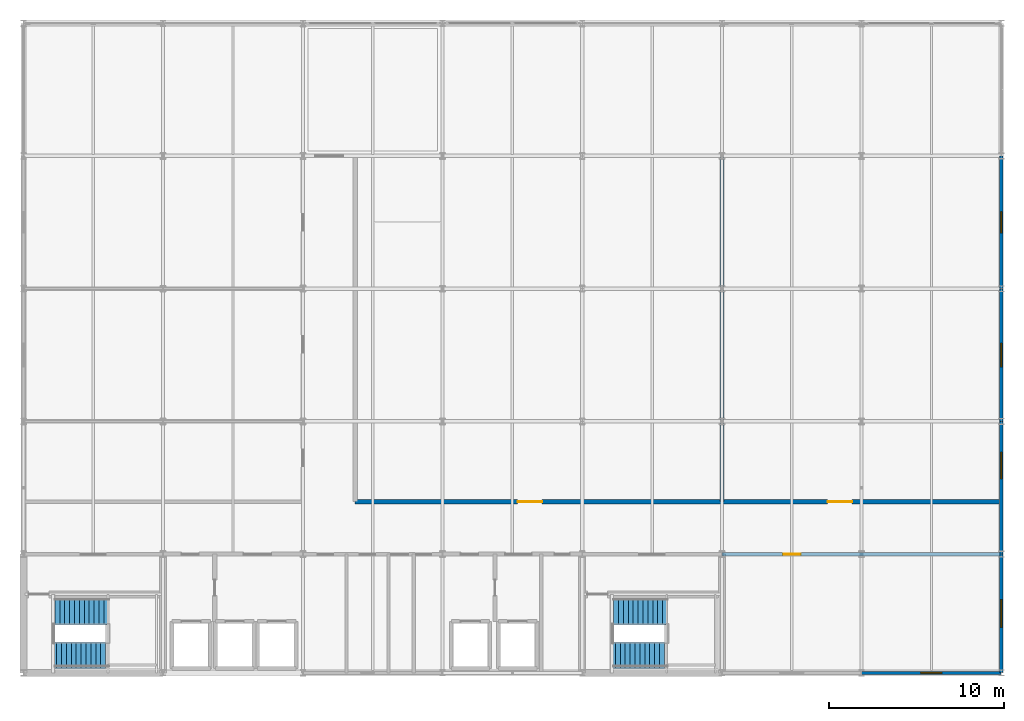
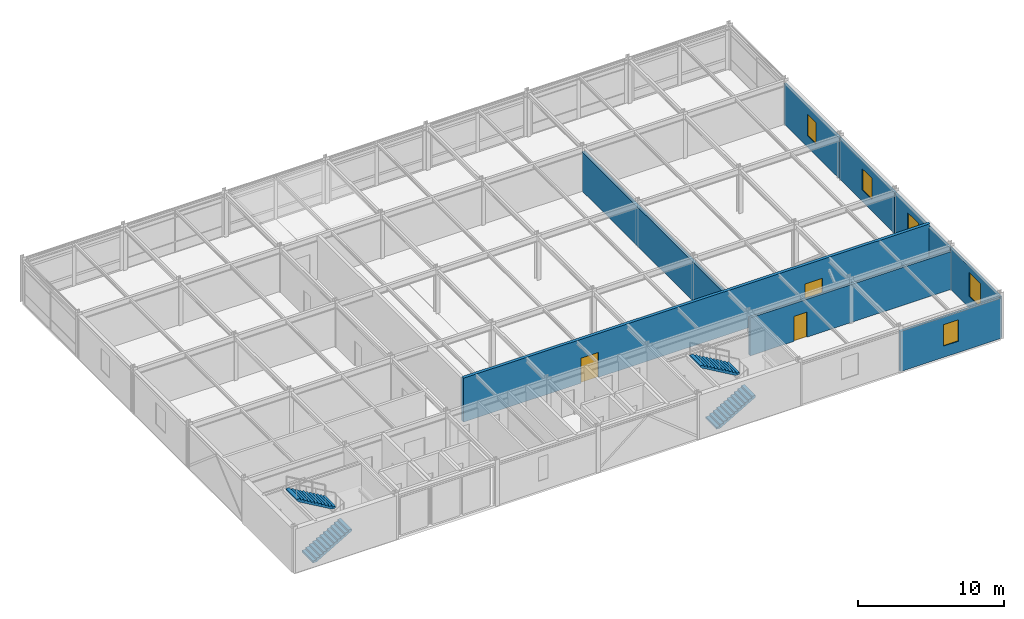
# One storey, part 15 of 16: 8 walls, 5 windows, 4 stair flights, 3 doors, 8 openings, 2 elements without a shape of their own.
"""IFC4 building model written with IfcOpenShell, lengths in metres."""

from ifc_helpers import new_model, si_unit, direction, frame, frame_2d, origin, place, context, subcontext, project, spatial, polyline, rectangle, outline, extrude, material, layer, layer_set, type_object, element, fill, aggregate, save


model = new_model("IFC4")

# Units and contexts
model_context = context("Model", 3, precision=1e-05, world=origin(), true_north=direction((0.0, 1.0)))
body_context = subcontext(model_context, "Body", "Model", "MODEL_VIEW")
ifc_project = project(units=[si_unit("LENGTHUNIT", "METRE"), si_unit("AREAUNIT", "SQUARE_METRE"), si_unit("VOLUMEUNIT", "CUBIC_METRE"), si_unit("PLANEANGLEUNIT", "RADIAN"), si_unit("MASSUNIT", "GRAM", prefix="KILO")], contexts=[model_context])

# Site, building, storey
site_placement = place(None, origin())
site = spatial("IfcSite", under=ifc_project, at=site_placement, CompositionType="ELEMENT")
building_placement = place(site_placement, origin())
building = spatial("IfcBuilding", under=site, at=building_placement, Name="Shalkamar Park Central Library", CompositionType="ELEMENT")
storey_placement = place(building_placement, frame((0.0, 0.0, 43.800048828125)))
storey = spatial("IfcBuildingStorey", under=building, at=storey_placement, Name="L11", CompositionType="ELEMENT", Elevation=43.800048828125)

# Wall, openings, doors
ifc_material_1 = material(Name="Reinforced fire-compartment masonry wall", Category="masonry")
ifc_layer_1 = layer(ifc_material_1, 0.239990234375)
ifc_layer_set_1 = layer_set([ifc_layer_1], Name="CompartmentWall_240")
wall_type_1 = type_object("IfcWallType", Name="Compartment Wall 240", PredefinedType="PARTITIONING", material=ifc_layer_set_1)
wall_1_placement = place(storey_placement, frame((184.0, 258.199951171875, 0.0), z_axis=(0.0, 0.0, 1.0), x_axis=(1.0, 0.0, 0.0)))
wall_1 = element("IfcWall", 1, at=wall_1_placement, inside=storey, type_object=wall_type_1, Name="Interior Partition WL-INT-L11-016", PredefinedType="PARTITIONING", context=body_context, shape_type="SweptSolid", body=[
    extrude(rectangle(XDim=37.0, YDim=0.239990234375, at=frame_2d((18.5, 0.0))), origin(), (0.0, 0.0, 1.0), 3.679931640625),
])
opening_1_placement = place(wall_1_placement, frame((9.300048828125, 0.0, 0.0)))
opening_1 = element("IfcOpeningElement", 2, at=opening_1_placement, cuts=wall_1, Name="Opening DR-L11-016", PredefinedType="OPENING", context=body_context, shape_type="SweptSolid", body=[
    extrude(rectangle(XDim=1.39990234375, YDim=2.10009765625, at=frame_2d((0.699951171875, 1.050048828125))), frame((0.0, 0.134765625, 0.0), z_axis=(0.0, -1.0, 0.0), x_axis=(1.0, 0.0, 0.0)), (0.0, 0.0, 1.0), 0.269775390625),
])
opening_2_placement = place(wall_1_placement, frame((27.06005859375, 0.0, 0.0)))
opening_2 = element("IfcOpeningElement", 3, at=opening_2_placement, cuts=wall_1, Name="Opening DR-L11-017", PredefinedType="OPENING", context=body_context, shape_type="SweptSolid", body=[
    extrude(rectangle(XDim=1.39990234375, YDim=2.10009765625, at=frame_2d((0.699951171875, 1.050048828125))), frame((0.0, 0.134765625, 0.0), z_axis=(0.0, -1.0, 0.0), x_axis=(1.0, 0.0, 0.0)), (0.0, 0.0, 1.0), 0.269775390625),
])
ifc_material_2 = material(Name="Steel S355", Category="steel")
door_type_1 = type_object("IfcDoorType", Name="Fire Door Double 1400x2100", OperationType="DOUBLE_DOOR_SINGLE_SWING", PredefinedType="DOOR", material=ifc_material_2)
door_1_placement = place(opening_1_placement, origin())
door_1 = element("IfcDoor", 4, at=door_1_placement, inside=storey, type_object=door_type_1, Name="L11 Monograph Stacks West Door", OperationType="DOUBLE_DOOR_SINGLE_SWING", OverallHeight=2.10009765625, OverallWidth=1.39990234375, PredefinedType="DOOR", context=body_context, shape_type="SweptSolid", body=[
    extrude(rectangle(XDim=1.39990234375, YDim=2.10009765625, at=frame_2d((0.699951171875, 1.050048828125))), frame((0.0, 0.02490234375, 0.0), z_axis=(0.0, -1.0, 0.0), x_axis=(1.0, 0.0, 0.0)), (0.0, 0.0, 1.0), 0.050048828125),
])
fill(opening_1, door_1)
door_2_placement = place(opening_2_placement, origin())
door_2 = element("IfcDoor", 5, at=door_2_placement, inside=storey, type_object=door_type_1, Name="L11 Monograph Stacks East Door", OperationType="DOUBLE_DOOR_SINGLE_SWING", OverallHeight=2.10009765625, OverallWidth=1.39990234375, PredefinedType="DOOR", context=body_context, shape_type="SweptSolid", body=[
    extrude(rectangle(XDim=1.39990234375, YDim=2.10009765625, at=frame_2d((0.699951171875, 1.050048828125))), frame((0.0, 0.02490234375, 0.0), z_axis=(0.0, -1.0, 0.0), x_axis=(1.0, 0.0, 0.0)), (0.0, 0.0, 1.0), 0.050048828125),
])
fill(opening_2, door_2)

# Wall
wall_2_placement = place(storey_placement, frame((205.0, 258.199951171875, 0.0), z_axis=(0.0, 0.0, 1.0), x_axis=(0.0, 1.0, 0.0)))
element("IfcWall", 6, at=wall_2_placement, inside=storey, type_object=wall_type_1, Name="Interior Partition WL-INT-L11-017", PredefinedType="PARTITIONING", context=body_context, shape_type="SweptSolid", body=[
    extrude(rectangle(XDim=19.800048828125, YDim=0.239990234375, at=frame_2d((9.89990234375, 0.0))), origin(), (0.0, 0.0, 1.0), 3.27783203125),
])

# Wall, opening, door
ifc_material_3 = material(Name="Fire-rated corridor partition wall", Category="masonry")
ifc_layer_2 = layer(ifc_material_3, 0.199951171875)
ifc_layer_set_2 = layer_set([ifc_layer_2], Name="CorridorFireWall_200")
wall_type_2 = type_object("IfcWallType", Name="Corridor Fire Wall 200", PredefinedType="PARTITIONING", material=ifc_layer_set_2)
wall_3_placement = place(storey_placement, frame((205.0, 255.199951171875, 0.0), z_axis=(0.0, 0.0, 1.0), x_axis=(1.0, 0.0, 0.0)))
wall_3 = element("IfcWall", 7, at=wall_3_placement, inside=storey, type_object=wall_type_2, Name="Interior Partition WL-INT-L11-010", PredefinedType="PARTITIONING", context=body_context, shape_type="SweptSolid", body=[
    extrude(rectangle(XDim=16.0, YDim=0.199951171875, at=frame_2d((8.0, 0.0))), origin(), (0.0, 0.0, 1.0), 3.177978515625),
])
opening_3_placement = place(wall_3_placement, frame((3.5, 0.0, 0.0)))
opening_3 = element("IfcOpeningElement", 8, at=opening_3_placement, cuts=wall_3, Name="Opening DR-L11-012", PredefinedType="OPENING", context=body_context, shape_type="SweptSolid", body=[
    extrude(rectangle(XDim=1.0, YDim=2.10009765625, at=frame_2d((0.5, 1.050048828125))), frame((0.0, 0.11474609375, 0.0), z_axis=(0.0, -1.0, 0.0), x_axis=(1.0, 0.0, 0.0)), (0.0, 0.0, 1.0), 0.229736328125),
])
door_type_2 = type_object("IfcDoorType", Name="Interior Door Single 1000x2100", OperationType="NOTDEFINED", PredefinedType="DOOR", material=ifc_material_2)
door_3_placement = place(opening_3_placement, frame((1.0, 0.0, 0.0), z_axis=(0.0, 0.0, 1.0), x_axis=(-1.0, 0.0, 0.0)))
door_3 = element("IfcDoor", 9, at=door_3_placement, inside=storey, type_object=door_type_2, Name="L11 Fellows Office Door", OperationType="SINGLE_SWING_RIGHT", OverallHeight=2.10009765625, OverallWidth=1.0, PredefinedType="DOOR", context=body_context, shape_type="SweptSolid", body=[
    extrude(rectangle(XDim=1.0, YDim=2.10009765625, at=frame_2d((0.5, 1.050048828125))), frame((0.0, 0.02490234375, 0.0), z_axis=(0.0, -1.0, 0.0), x_axis=(1.0, 0.0, 0.0)), (0.0, 0.0, 1.0), 0.050048828125),
])
fill(opening_3, door_3)

# Wall, opening, window
ifc_material_4 = material(Name="Terracotta insulated wall panel", Category="masonry")
ifc_layer_3 = layer(ifc_material_4, 0.179931640625)
ifc_layer_set_3 = layer_set([ifc_layer_3], Name="TowerSpandrelWall_180")
wall_type_3 = type_object("IfcWallType", Name="Tower Spandrel Wall 180", PredefinedType="SOLIDWALL", material=ifc_layer_set_3)
wall_4_placement = place(storey_placement, frame((213.006103515625, 248.39990234375, 0.0), z_axis=(0.0, 0.0, 1.0), x_axis=(1.0, 0.0, 0.0)))
wall_4 = element("IfcWall", 10, at=wall_4_placement, inside=storey, type_object=wall_type_3, Name="Exterior Facade Wall WL-EXT-L11-215", PredefinedType="SOLIDWALL", context=body_context, shape_type="SweptSolid", body=[
    extrude(rectangle(XDim=7.98779296875, YDim=0.179931640625, at=frame_2d((3.993896484375, 0.0))), origin(), (0.0, 0.0, 1.0), 3.367919921875),
])
opening_4_placement = place(wall_4_placement, frame((3.39404296875, 0.0, 0.949951171875)))
opening_4 = element("IfcOpeningElement", 11, at=opening_4_placement, cuts=wall_4, Name="Opening WN-16", PredefinedType="OPENING", context=body_context, shape_type="SweptSolid", body=[
    extrude(rectangle(XDim=1.199951171875, YDim=1.800048828125, at=frame_2d((0.60009765625, 0.89990234375))), frame((0.0, 0.10498046875, 0.0), z_axis=(0.0, -1.0, 0.0), x_axis=(1.0, 0.0, 0.0)), (0.0, 0.0, 1.0), 0.209716796875),
])
ifc_material_5 = material(Name="Thermally broken aluminium and triple low-e glass", Category="glass")
window_type_1 = type_object("IfcWindowType", Name="Tower Window 1200x1800", PartitioningType="SINGLE_PANEL", PredefinedType="WINDOW", material=ifc_material_5)
window_1_placement = place(opening_4_placement, origin())
window_1 = element("IfcWindow", 12, at=window_1_placement, inside=storey, type_object=window_type_1, Name="Facade Window WN-L11-155", OverallHeight=1.800048828125, OverallWidth=1.199951171875, PartitioningType="SINGLE_PANEL", PredefinedType="WINDOW", context=body_context, shape_type="SweptSolid", body=[
    extrude(rectangle(XDim=1.199951171875, YDim=1.800048828125, at=frame_2d((0.60009765625, 0.89990234375))), frame((0.0, 0.030029296875, 0.0), z_axis=(0.0, -1.0, 0.0), x_axis=(1.0, 0.0, 0.0)), (0.0, 0.0, 1.0), 0.06005859375),
])
fill(opening_4, window_1)

wall_5_placement = place(storey_placement, frame((221.0, 248.406005859375, 0.0), z_axis=(0.0, 0.0, 1.0), x_axis=(0.0, 1.0, 0.0)))
wall_5 = element("IfcWall", 13, at=wall_5_placement, inside=storey, type_object=wall_type_3, Name="Exterior Facade Wall WL-EXT-L11-219", PredefinedType="SOLIDWALL", context=body_context, shape_type="SweptSolid", body=[
    extrude(rectangle(XDim=6.7880859375, YDim=0.179931640625, at=frame_2d((3.39404296875, 0.0))), origin(), (0.0, 0.0, 1.0), 3.447998046875),
])
opening_5_placement = place(wall_5_placement, frame((2.593994140625, 0.0, 0.949951171875)))
opening_5 = element("IfcOpeningElement", 14, at=opening_5_placement, cuts=wall_5, Name="Opening WN-13", PredefinedType="OPENING", context=body_context, shape_type="SweptSolid", body=[
    extrude(rectangle(XDim=1.60009765625, YDim=2.0, at=frame_2d((0.800048828125, 1.0))), frame((0.0, 0.10498046875, 0.0), z_axis=(0.0, -1.0, 0.0), x_axis=(1.0, 0.0, 0.0)), (0.0, 0.0, 1.0), 0.209716796875),
])
window_type_2 = type_object("IfcWindowType", Name="Tower Window 1600x2000", PartitioningType="SINGLE_PANEL", PredefinedType="WINDOW", material=ifc_material_5)
window_2_placement = place(opening_5_placement, origin())
window_2 = element("IfcWindow", 15, at=window_2_placement, inside=storey, type_object=window_type_2, Name="Facade Window WN-L11-158", OverallHeight=2.0, OverallWidth=1.60009765625, PartitioningType="SINGLE_PANEL", PredefinedType="WINDOW", context=body_context, shape_type="SweptSolid", body=[
    extrude(rectangle(XDim=1.60009765625, YDim=2.0, at=frame_2d((0.800048828125, 1.0))), frame((0.0, 0.030029296875, 0.0), z_axis=(0.0, -1.0, 0.0), x_axis=(1.0, 0.0, 0.0)), (0.0, 0.0, 1.0), 0.06005859375),
])
fill(opening_5, window_2)

wall_6_placement = place(storey_placement, frame((221.0, 255.2060546875, 0.0), z_axis=(0.0, 0.0, 1.0), x_axis=(0.0, 1.0, 0.0)))
wall_6 = element("IfcWall", 16, at=wall_6_placement, inside=storey, type_object=wall_type_3, Name="Exterior Facade Wall WL-EXT-L11-220", PredefinedType="SOLIDWALL", context=body_context, shape_type="SweptSolid", body=[
    extrude(rectangle(XDim=7.587890625, YDim=0.179931640625, at=frame_2d((3.7939453125, 0.0))), origin(), (0.0, 0.0, 1.0), 3.407958984375),
])
opening_6_placement = place(wall_6_placement, frame((4.31591796875, 0.0, 0.949951171875)))
opening_6 = element("IfcOpeningElement", 17, at=opening_6_placement, cuts=wall_6, Name="Opening WN-14", PredefinedType="OPENING", context=body_context, shape_type="SweptSolid", body=[
    extrude(rectangle(XDim=1.5, YDim=1.89990234375, at=frame_2d((0.75, 0.949951171875))), frame((0.0, 0.10498046875, 0.0), z_axis=(0.0, -1.0, 0.0), x_axis=(1.0, 0.0, 0.0)), (0.0, 0.0, 1.0), 0.209716796875),
])
window_type_3 = type_object("IfcWindowType", Name="Tower Window 1500x1900", PartitioningType="SINGLE_PANEL", PredefinedType="WINDOW", material=ifc_material_5)
window_3_placement = place(opening_6_placement, origin())
window_3 = element("IfcWindow", 18, at=window_3_placement, inside=storey, type_object=window_type_3, Name="Facade Window WN-L11-159", OverallHeight=1.89990234375, OverallWidth=1.5, PartitioningType="SINGLE_PANEL", PredefinedType="WINDOW", context=body_context, shape_type="SweptSolid", body=[
    extrude(rectangle(XDim=1.5, YDim=1.89990234375, at=frame_2d((0.75, 0.949951171875))), frame((0.0, 0.030029296875, 0.0), z_axis=(0.0, -1.0, 0.0), x_axis=(1.0, 0.0, 0.0)), (0.0, 0.0, 1.0), 0.06005859375),
])
fill(opening_6, window_3)

wall_7_placement = place(storey_placement, frame((221.0, 262.805908203125, 0.0), z_axis=(0.0, 0.0, 1.0), x_axis=(0.0, 1.0, 0.0)))
wall_7 = element("IfcWall", 19, at=wall_7_placement, inside=storey, type_object=wall_type_3, Name="Exterior Facade Wall WL-EXT-L11-221", PredefinedType="SOLIDWALL", context=body_context, shape_type="SweptSolid", body=[
    extrude(rectangle(XDim=7.588134765625, YDim=0.179931640625, at=frame_2d((3.7939453125, 0.0))), origin(), (0.0, 0.0, 1.0), 3.407958984375),
])
opening_7_placement = place(wall_7_placement, frame((3.118896484375, 0.0, 0.949951171875)))
opening_7 = element("IfcOpeningElement", 20, at=opening_7_placement, cuts=wall_7, Name="Opening WN-15", PredefinedType="OPENING", context=body_context, shape_type="SweptSolid", body=[
    extrude(rectangle(XDim=1.35009765625, YDim=1.800048828125, at=frame_2d((0.675048828125, 0.89990234375))), frame((0.0, 0.10498046875, 0.0), z_axis=(0.0, -1.0, 0.0), x_axis=(1.0, 0.0, 0.0)), (0.0, 0.0, 1.0), 0.209716796875),
])
window_type_4 = type_object("IfcWindowType", Name="Tower Window 1350x1800", PartitioningType="SINGLE_PANEL", PredefinedType="WINDOW", material=ifc_material_5)
window_4_placement = place(opening_7_placement, origin())
window_4 = element("IfcWindow", 21, at=window_4_placement, inside=storey, type_object=window_type_4, Name="Facade Window WN-L11-160", OverallHeight=1.800048828125, OverallWidth=1.35009765625, PartitioningType="SINGLE_PANEL", PredefinedType="WINDOW", context=body_context, shape_type="SweptSolid", body=[
    extrude(rectangle(XDim=1.35009765625, YDim=1.800048828125, at=frame_2d((0.675048828125, 0.89990234375))), frame((0.0, 0.030029296875, 0.0), z_axis=(0.0, -1.0, 0.0), x_axis=(1.0, 0.0, 0.0)), (0.0, 0.0, 1.0), 0.06005859375),
])
fill(opening_7, window_4)

wall_8_placement = place(storey_placement, frame((221.0, 270.406005859375, 0.0), z_axis=(0.0, 0.0, 1.0), x_axis=(0.0, 1.0, 0.0)))
wall_8 = element("IfcWall", 22, at=wall_8_placement, inside=storey, type_object=wall_type_3, Name="Exterior Facade Wall WL-EXT-L11-222", PredefinedType="SOLIDWALL", context=body_context, shape_type="SweptSolid", body=[
    extrude(rectangle(XDim=7.587890625, YDim=0.179931640625, at=frame_2d((3.7939453125, 0.0))), origin(), (0.0, 0.0, 1.0), 3.407958984375),
])
opening_8_placement = place(wall_8_placement, frame((3.194091796875, 0.0, 0.949951171875)))
opening_8 = element("IfcOpeningElement", 23, at=opening_8_placement, cuts=wall_8, Name="Opening WN-16", PredefinedType="OPENING", context=body_context, shape_type="SweptSolid", body=[
    extrude(rectangle(XDim=1.199951171875, YDim=1.800048828125, at=frame_2d((0.60009765625, 0.89990234375))), frame((0.0, 0.10498046875, 0.0), z_axis=(0.0, -1.0, 0.0), x_axis=(1.0, 0.0, 0.0)), (0.0, 0.0, 1.0), 0.209716796875),
])
window_5_placement = place(opening_8_placement, origin())
window_5 = element("IfcWindow", 24, at=window_5_placement, inside=storey, type_object=window_type_1, Name="Facade Window WN-L11-161", OverallHeight=1.800048828125, OverallWidth=1.199951171875, PartitioningType="SINGLE_PANEL", PredefinedType="WINDOW", context=body_context, shape_type="SweptSolid", body=[
    extrude(rectangle(XDim=1.199951171875, YDim=1.800048828125, at=frame_2d((0.60009765625, 0.89990234375))), frame((0.0, 0.030029296875, 0.0), z_axis=(0.0, -1.0, 0.0), x_axis=(1.0, 0.0, 0.0)), (0.0, 0.0, 1.0), 0.06005859375),
])
fill(opening_8, window_5)

# Stair, stair flights
ifc_material_6 = material(Name="Concrete C35/45", Category="concrete")
stair_type = type_object("IfcStairType", Name="Protected Dog Leg Stair 150x390", PredefinedType="TWO_STRAIGHT_RUN_STAIR", material=ifc_material_6)
stair_1_placement = place(storey_placement, origin())
stair_1 = element("IfcStair", 25, at=stair_1_placement, inside=storey, type_object=stair_type, Name="Protected Core Stair ST-T1-L11", PredefinedType="TWO_STRAIGHT_RUN_STAIR")
stair_flight_type = type_object("IfcStairFlightType", Name="Straight Stair Flight 150x390", PredefinedType="STRAIGHT", material=ifc_material_6)
stair_flight_1_placement = place(storey_placement, frame((166.6201171875, 249.389892578125, 0.0), z_axis=(0.0, 0.0, 1.0), x_axis=(1.0, 0.0, 0.0)))
stair_flight_1 = element("IfcStairFlight", 26, at=stair_flight_1_placement, type_object=stair_flight_type, Name="ST-T1-L11 flight 1", NumberOfRisers=12, NumberOfTreads=11, PredefinedType="STRAIGHT", RiserHeight=0.1625, TreadLength=0.28, context=body_context, shape_type="SweptSolid", body=[
    extrude(outline(polyline([(0.0, 0.0), (0.0, 0.16259765625), (0.280029296875, 0.16259765625), (0.280029296875, 0.324951171875), (0.56005859375, 0.324951171875), (0.56005859375, 0.487548828125), (0.840087890625, 0.487548828125), (0.840087890625, 0.64990234375), (1.1201171875, 0.64990234375), (1.1201171875, 0.8125), (1.39990234375, 0.8125), (1.39990234375, 0.97509765625), (1.679931640625, 0.97509765625), (1.679931640625, 1.137451171875), (1.9599609375, 1.137451171875), (1.9599609375, 1.300048828125), (2.239990234375, 1.300048828125), (2.239990234375, 1.46240234375), (2.52001953125, 1.46240234375), (2.52001953125, 1.625), (2.800048828125, 1.625), (2.800048828125, 1.78759765625), (3.080078125, 1.78759765625), (3.080078125, 1.949951171875), (3.080078125, 1.6142578125), (0.298583984375, 0.0), (0.0, 0.0)])), frame((0.0, 0.75, 0.0), z_axis=(0.0, -1.0, 0.0), x_axis=(1.0, 0.0, 0.0)), (0.0, 0.0, 1.0), 1.5),
])
stair_flight_2_placement = place(storey_placement, frame((169.8798828125, 251.909912109375, 1.949951171875), z_axis=(0.0, 0.0, 1.0), x_axis=(-1.0, 0.0, 0.0)))
stair_flight_2 = element("IfcStairFlight", 27, at=stair_flight_2_placement, type_object=stair_flight_type, Name="ST-T1-L11 flight 2", NumberOfRisers=12, NumberOfTreads=11, PredefinedType="STRAIGHT", RiserHeight=0.1625, TreadLength=0.28, context=body_context, shape_type="SweptSolid", body=[
    extrude(outline(polyline([(0.0, 0.0), (0.0, 0.16259765625), (0.280029296875, 0.16259765625), (0.280029296875, 0.324951171875), (0.56005859375, 0.324951171875), (0.56005859375, 0.487548828125), (0.840087890625, 0.487548828125), (0.840087890625, 0.64990234375), (1.1201171875, 0.64990234375), (1.1201171875, 0.8125), (1.39990234375, 0.8125), (1.39990234375, 0.97509765625), (1.679931640625, 0.97509765625), (1.679931640625, 1.137451171875), (1.9599609375, 1.137451171875), (1.9599609375, 1.300048828125), (2.239990234375, 1.300048828125), (2.239990234375, 1.46240234375), (2.52001953125, 1.46240234375), (2.52001953125, 1.625), (2.800048828125, 1.625), (2.800048828125, 1.78759765625), (3.080078125, 1.78759765625), (3.080078125, 1.949951171875), (3.080078125, 1.6142578125), (0.298583984375, 0.0), (0.0, 0.0)])), frame((0.0, 0.75, 0.0), z_axis=(0.0, -1.0, 0.0), x_axis=(1.0, 0.0, 0.0)), (0.0, 0.0, 1.0), 1.5),
])
aggregate(stair_1, [stair_flight_1, stair_flight_2])

stair_2_placement = place(storey_placement, origin())
stair_2 = element("IfcStair", 28, at=stair_2_placement, inside=storey, type_object=stair_type, Name="Protected Core Stair ST-T2-L11", PredefinedType="TWO_STRAIGHT_RUN_STAIR")
stair_flight_3_placement = place(storey_placement, frame((198.6201171875, 249.389892578125, 0.0), z_axis=(0.0, 0.0, 1.0), x_axis=(1.0, 0.0, 0.0)))
stair_flight_3 = element("IfcStairFlight", 29, at=stair_flight_3_placement, type_object=stair_flight_type, Name="ST-T2-L11 flight 1", NumberOfRisers=12, NumberOfTreads=11, PredefinedType="STRAIGHT", RiserHeight=0.1625, TreadLength=0.28, context=body_context, shape_type="SweptSolid", body=[
    extrude(outline(polyline([(0.0, 0.0), (0.0, 0.16259765625), (0.280029296875, 0.16259765625), (0.280029296875, 0.324951171875), (0.56005859375, 0.324951171875), (0.56005859375, 0.487548828125), (0.840087890625, 0.487548828125), (0.840087890625, 0.64990234375), (1.1201171875, 0.64990234375), (1.1201171875, 0.8125), (1.39990234375, 0.8125), (1.39990234375, 0.97509765625), (1.679931640625, 0.97509765625), (1.679931640625, 1.137451171875), (1.9599609375, 1.137451171875), (1.9599609375, 1.300048828125), (2.239990234375, 1.300048828125), (2.239990234375, 1.46240234375), (2.52001953125, 1.46240234375), (2.52001953125, 1.625), (2.800048828125, 1.625), (2.800048828125, 1.78759765625), (3.080078125, 1.78759765625), (3.080078125, 1.949951171875), (3.080078125, 1.6142578125), (0.298583984375, 0.0), (0.0, 0.0)])), frame((0.0, 0.75, 0.0), z_axis=(0.0, -1.0, 0.0), x_axis=(1.0, 0.0, 0.0)), (0.0, 0.0, 1.0), 1.5),
])
stair_flight_4_placement = place(storey_placement, frame((201.8798828125, 251.909912109375, 1.949951171875), z_axis=(0.0, 0.0, 1.0), x_axis=(-1.0, 0.0, 0.0)))
stair_flight_4 = element("IfcStairFlight", 30, at=stair_flight_4_placement, type_object=stair_flight_type, Name="ST-T2-L11 flight 2", NumberOfRisers=12, NumberOfTreads=11, PredefinedType="STRAIGHT", RiserHeight=0.1625, TreadLength=0.28, context=body_context, shape_type="SweptSolid", body=[
    extrude(outline(polyline([(0.0, 0.0), (0.0, 0.16259765625), (0.280029296875, 0.16259765625), (0.280029296875, 0.324951171875), (0.56005859375, 0.324951171875), (0.56005859375, 0.487548828125), (0.840087890625, 0.487548828125), (0.840087890625, 0.64990234375), (1.1201171875, 0.64990234375), (1.1201171875, 0.8125), (1.39990234375, 0.8125), (1.39990234375, 0.97509765625), (1.679931640625, 0.97509765625), (1.679931640625, 1.137451171875), (1.9599609375, 1.137451171875), (1.9599609375, 1.300048828125), (2.239990234375, 1.300048828125), (2.239990234375, 1.46240234375), (2.52001953125, 1.46240234375), (2.52001953125, 1.625), (2.800048828125, 1.625), (2.800048828125, 1.78759765625), (3.080078125, 1.78759765625), (3.080078125, 1.949951171875), (3.080078125, 1.6142578125), (0.298583984375, 0.0), (0.0, 0.0)])), frame((0.0, 0.75, 0.0), z_axis=(0.0, -1.0, 0.0), x_axis=(1.0, 0.0, 0.0)), (0.0, 0.0, 1.0), 1.5),
])
aggregate(stair_2, [stair_flight_3, stair_flight_4])

save(model, "model.ifc")
